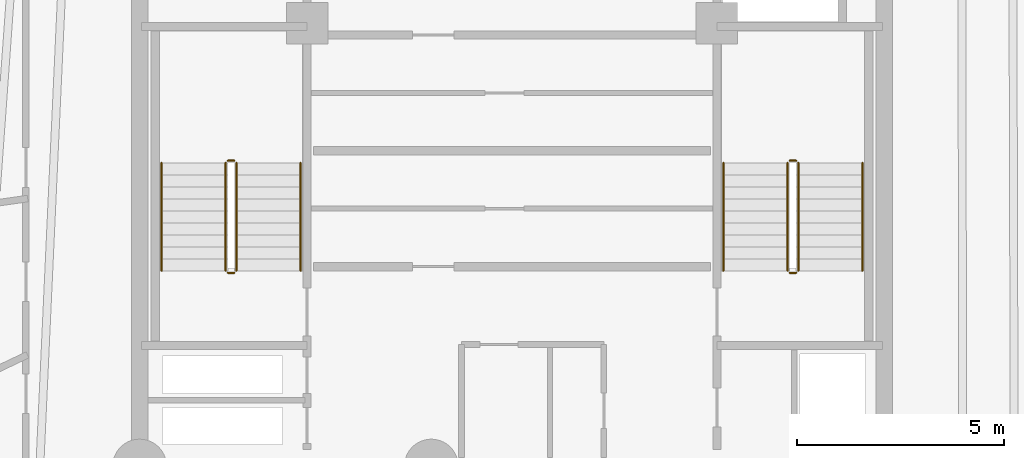
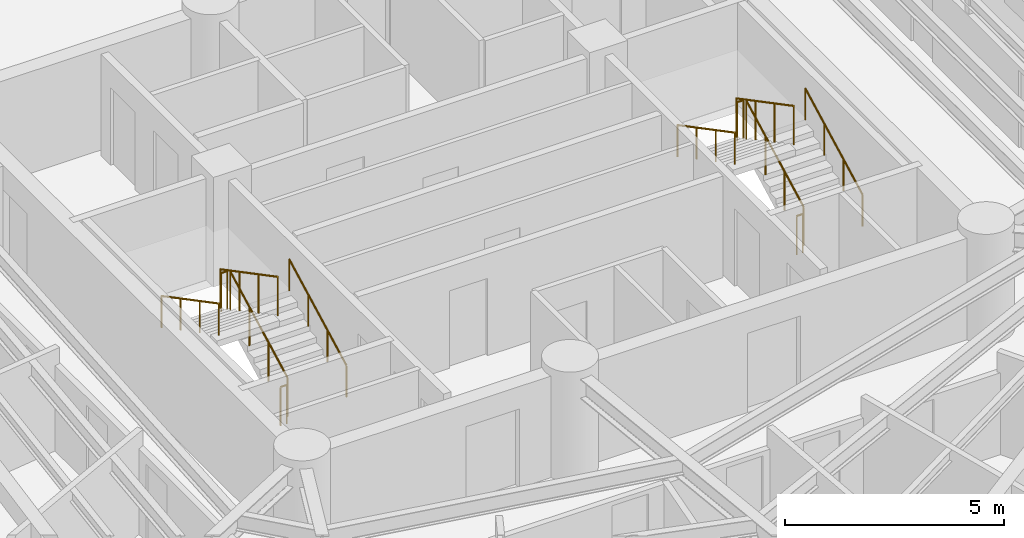
# One storey, part 7 of 7: 12 railings.
"""IFC4 building model written with IfcOpenShell, lengths in metres."""

from ifc_helpers import new_model, si_unit, direction, frame, origin, origin_2d, place, context, subcontext, project, spatial, circle, extrude, material, layer, layer_set, type_object, element, save


model = new_model("IFC4")

# Units and contexts
model_context = context("Model", 3, precision=1e-05, world=origin(), true_north=direction((0.0, 1.0)))
body_context = subcontext(model_context, "Body", "Model", "MODEL_VIEW")
ifc_project = project(units=[si_unit("LENGTHUNIT", "METRE"), si_unit("AREAUNIT", "SQUARE_METRE"), si_unit("VOLUMEUNIT", "CUBIC_METRE"), si_unit("PLANEANGLEUNIT", "RADIAN"), si_unit("MASSUNIT", "GRAM", prefix="KILO")], contexts=[model_context])

# Site, building, storey
site_placement = place(None, origin())
site = spatial("IfcSite", under=ifc_project, at=site_placement, CompositionType="ELEMENT")
building_placement = place(site_placement, origin())
building = spatial("IfcBuilding", under=site, at=building_placement, Name="Karkom Vertical University and Central Library", CompositionType="ELEMENT")
storey_placement = place(building_placement, frame((0.0, 0.0, 202.300048828125)))
storey = spatial("IfcBuildingStorey", under=building, at=storey_placement, Name="L59", CompositionType="ELEMENT", Elevation=202.300048828125)

# Railings
ifc_material_1 = material(Name="Painted galvanised steel balustrade", Category="steel")
ifc_layer_1 = layer(ifc_material_1, 0.06005859375)
ifc_layer_set_1 = layer_set([ifc_layer_1], Name="Painted galvanised steel balustrade")
railing_type_1 = type_object("IfcRailingType", Name="INT-RL-GUARD1100", PredefinedType="GUARDRAIL", material=ifc_layer_set_1)
railing_1_placement = place(storey_placement, frame((21.840087890625, 23.02001953125, 0.15234375)))
element("IfcRailing", 1, at=railing_1_placement, inside=storey, type_object=railing_type_1, Name="Level 59 ST-1 stair guard 1", PredefinedType="GUARDRAIL", context=body_context, shape_type="SweptSolid", body=[
    extrude(circle(Radius=0.02392578125, at=origin_2d()), frame((0.0, 0.0, 1.076171875), z_axis=(0.0, 0.885065446896, 0.46546659892), x_axis=(-1.0, 0.0, 0.0)), (0.0, 0.0, 1.0), 2.94873046875),
    extrude(circle(Radius=0.02099609375, at=origin_2d()), origin(), (0.0, 0.0, 1.0), 1.052001953125),
    extrude(circle(Radius=0.02099609375, at=origin_2d()), frame((0.0, 0.869873046875, 0.45751953125)), (0.0, 0.0, 1.0), 1.052001953125),
    extrude(circle(Radius=0.02099609375, at=origin_2d()), frame((0.0, 1.739990234375, 0.9150390625)), (0.0, 0.0, 1.0), 1.052001953125),
    extrude(circle(Radius=0.02099609375, at=origin_2d()), frame((0.0, 2.60986328125, 1.37255859375)), (0.0, 0.0, 1.0), 1.052001953125),
])
railing_2_placement = place(storey_placement, frame((21.7900390625, 25.679931640625, 1.52490234375)))
element("IfcRailing", 2, at=railing_2_placement, inside=storey, type_object=railing_type_1, Name="Level 59 ST-1 stair guard 2", PredefinedType="GUARDRAIL", context=body_context, shape_type="SweptSolid", body=[
    extrude(circle(Radius=0.02392578125, at=origin_2d()), frame((0.0, 0.0, 1.076171875), z_axis=(-1.0, 0.0, 0.0), x_axis=(0.0, -1.0, 0.0)), (0.0, 0.0, 1.0), 0.16015625),
    extrude(circle(Radius=0.02099609375, at=origin_2d()), origin(), (0.0, 0.0, 1.0), 1.052001953125),
    extrude(circle(Radius=0.02099609375, at=origin_2d()), frame((-0.16015625, 0.0, 0.0)), (0.0, 0.0, 1.0), 1.052001953125),
])
railing_3_placement = place(storey_placement, frame((21.580078125, 25.6298828125, 1.677490234375)))
element("IfcRailing", 3, at=railing_3_placement, inside=storey, type_object=railing_type_1, Name="Level 59 ST-1 stair guard 3", PredefinedType="GUARDRAIL", context=body_context, shape_type="SweptSolid", body=[
    extrude(circle(Radius=0.02392578125, at=origin_2d()), frame((0.0, 0.0, 1.076171875), z_axis=(0.0, -0.885065446896, 0.46546659892), x_axis=(1.0, 0.0, 0.0)), (0.0, 0.0, 1.0), 2.94873046875),
    extrude(circle(Radius=0.02099609375, at=origin_2d()), origin(), (0.0, 0.0, 1.0), 1.052001953125),
    extrude(circle(Radius=0.02099609375, at=origin_2d()), frame((0.0, -0.869873046875, 0.45751953125)), (0.0, 0.0, 1.0), 1.052001953125),
    extrude(circle(Radius=0.02099609375, at=origin_2d()), frame((0.0, -1.739990234375, 0.9150390625)), (0.0, 0.0, 1.0), 1.052001953125),
    extrude(circle(Radius=0.02099609375, at=origin_2d()), frame((0.0, -2.60986328125, 1.37255859375)), (0.0, 0.0, 1.0), 1.052001953125),
])
railing_4_placement = place(storey_placement, frame((21.7900390625, 22.969970703125, 0.0)))
element("IfcRailing", 4, at=railing_4_placement, inside=storey, type_object=railing_type_1, Name="Level 59 ST-1 stair guard 4", PredefinedType="GUARDRAIL", context=body_context, shape_type="SweptSolid", body=[
    extrude(circle(Radius=0.02392578125, at=origin_2d()), frame((0.0, 0.0, 1.076171875), z_axis=(-1.0, 0.0, 0.0), x_axis=(0.0, -1.0, 0.0)), (0.0, 0.0, 1.0), 0.16015625),
    extrude(circle(Radius=0.02099609375, at=origin_2d()), origin(), (0.0, 0.0, 1.0), 1.052001953125),
    extrude(circle(Radius=0.02099609375, at=origin_2d()), frame((-0.16015625, 0.0, 0.0)), (0.0, 0.0, 1.0), 1.052001953125),
])
railing_5_placement = place(storey_placement, frame((35.419921875, 23.02001953125, 0.15234375)))
element("IfcRailing", 5, at=railing_5_placement, inside=storey, type_object=railing_type_1, Name="Level 59 ST-2 stair guard 1", PredefinedType="GUARDRAIL", context=body_context, shape_type="SweptSolid", body=[
    extrude(circle(Radius=0.02392578125, at=origin_2d()), frame((0.0, 0.0, 1.076171875), z_axis=(0.0, 0.885065446896, 0.46546659892), x_axis=(-1.0, 0.0, 0.0)), (0.0, 0.0, 1.0), 2.94873046875),
    extrude(circle(Radius=0.02099609375, at=origin_2d()), origin(), (0.0, 0.0, 1.0), 1.052001953125),
    extrude(circle(Radius=0.02099609375, at=origin_2d()), frame((0.0, 0.869873046875, 0.45751953125)), (0.0, 0.0, 1.0), 1.052001953125),
    extrude(circle(Radius=0.02099609375, at=origin_2d()), frame((0.0, 1.739990234375, 0.9150390625)), (0.0, 0.0, 1.0), 1.052001953125),
    extrude(circle(Radius=0.02099609375, at=origin_2d()), frame((0.0, 2.60986328125, 1.37255859375)), (0.0, 0.0, 1.0), 1.052001953125),
])
railing_6_placement = place(storey_placement, frame((35.3701171875, 25.679931640625, 1.52490234375)))
element("IfcRailing", 6, at=railing_6_placement, inside=storey, type_object=railing_type_1, Name="Level 59 ST-2 stair guard 2", PredefinedType="GUARDRAIL", context=body_context, shape_type="SweptSolid", body=[
    extrude(circle(Radius=0.02392578125, at=origin_2d()), frame((0.0, 0.0, 1.076171875), z_axis=(-1.0, 0.0, 0.0), x_axis=(0.0, -1.0, 0.0)), (0.0, 0.0, 1.0), 0.16015625),
    extrude(circle(Radius=0.02099609375, at=origin_2d()), origin(), (0.0, 0.0, 1.0), 1.052001953125),
    extrude(circle(Radius=0.02099609375, at=origin_2d()), frame((-0.16015625, 0.0, 0.0)), (0.0, 0.0, 1.0), 1.052001953125),
])
railing_7_placement = place(storey_placement, frame((35.159912109375, 25.6298828125, 1.677490234375)))
element("IfcRailing", 7, at=railing_7_placement, inside=storey, type_object=railing_type_1, Name="Level 59 ST-2 stair guard 3", PredefinedType="GUARDRAIL", context=body_context, shape_type="SweptSolid", body=[
    extrude(circle(Radius=0.02392578125, at=origin_2d()), frame((0.0, 0.0, 1.076171875), z_axis=(0.0, -0.885065446896, 0.46546659892), x_axis=(1.0, 0.0, 0.0)), (0.0, 0.0, 1.0), 2.94873046875),
    extrude(circle(Radius=0.02099609375, at=origin_2d()), origin(), (0.0, 0.0, 1.0), 1.052001953125),
    extrude(circle(Radius=0.02099609375, at=origin_2d()), frame((0.0, -0.869873046875, 0.45751953125)), (0.0, 0.0, 1.0), 1.052001953125),
    extrude(circle(Radius=0.02099609375, at=origin_2d()), frame((0.0, -1.739990234375, 0.9150390625)), (0.0, 0.0, 1.0), 1.052001953125),
    extrude(circle(Radius=0.02099609375, at=origin_2d()), frame((0.0, -2.60986328125, 1.37255859375)), (0.0, 0.0, 1.0), 1.052001953125),
])
railing_8_placement = place(storey_placement, frame((35.3701171875, 22.969970703125, 0.0)))
element("IfcRailing", 8, at=railing_8_placement, inside=storey, type_object=railing_type_1, Name="Level 59 ST-2 stair guard 4", PredefinedType="GUARDRAIL", context=body_context, shape_type="SweptSolid", body=[
    extrude(circle(Radius=0.02392578125, at=origin_2d()), frame((0.0, 0.0, 1.076171875), z_axis=(-1.0, 0.0, 0.0), x_axis=(0.0, -1.0, 0.0)), (0.0, 0.0, 1.0), 0.16015625),
    extrude(circle(Radius=0.02099609375, at=origin_2d()), origin(), (0.0, 0.0, 1.0), 1.052001953125),
    extrude(circle(Radius=0.02099609375, at=origin_2d()), frame((-0.16015625, 0.0, 0.0)), (0.0, 0.0, 1.0), 1.052001953125),
])
ifc_material_2 = material(Name="Brushed stainless-steel tubular handrail", Category="steel")
ifc_layer_2 = layer(ifc_material_2, 0.048095703125)
ifc_layer_set_2 = layer_set([ifc_layer_2], Name="Brushed stainless-steel tubular handrail")
railing_type_2 = type_object("IfcRailingType", Name="INT-RL-HAND920", PredefinedType="HANDRAIL", material=ifc_layer_set_2)
railing_9_placement = place(storey_placement, frame((23.389892578125, 23.02001953125, 0.15234375)))
element("IfcRailing", 9, at=railing_9_placement, inside=storey, type_object=railing_type_2, Name="Level 59 ST-1 stair handrail 1", PredefinedType="HANDRAIL", context=body_context, shape_type="SweptSolid", body=[
    extrude(circle(Radius=0.02392578125, at=origin_2d()), frame((0.0, 0.0, 0.8759765625), z_axis=(0.0, 0.885065446896, 0.46546659892), x_axis=(-1.0, 0.0, 0.0)), (0.0, 0.0, 1.0), 2.94873046875),
    extrude(circle(Radius=0.02099609375, at=origin_2d()), origin(), (0.0, 0.0, 1.0), 0.851806640625),
    extrude(circle(Radius=0.02099609375, at=origin_2d()), frame((0.0, 0.869873046875, 0.45751953125)), (0.0, 0.0, 1.0), 0.851806640625),
    extrude(circle(Radius=0.02099609375, at=origin_2d()), frame((0.0, 1.739990234375, 0.9150390625)), (0.0, 0.0, 1.0), 0.851806640625),
    extrude(circle(Radius=0.02099609375, at=origin_2d()), frame((0.0, 2.60986328125, 1.37255859375)), (0.0, 0.0, 1.0), 0.851806640625),
])
railing_10_placement = place(storey_placement, frame((20.030029296875, 25.6298828125, 1.677490234375)))
element("IfcRailing", 10, at=railing_10_placement, inside=storey, type_object=railing_type_2, Name="Level 59 ST-1 stair handrail 2", PredefinedType="HANDRAIL", context=body_context, shape_type="SweptSolid", body=[
    extrude(circle(Radius=0.02392578125, at=origin_2d()), frame((0.0, 0.0, 0.8759765625), z_axis=(0.0, -0.885065446896, 0.46546659892), x_axis=(1.0, 0.0, 0.0)), (0.0, 0.0, 1.0), 2.94873046875),
    extrude(circle(Radius=0.02099609375, at=origin_2d()), origin(), (0.0, 0.0, 1.0), 0.851806640625),
    extrude(circle(Radius=0.02099609375, at=origin_2d()), frame((0.0, -0.869873046875, 0.45751953125)), (0.0, 0.0, 1.0), 0.851806640625),
    extrude(circle(Radius=0.02099609375, at=origin_2d()), frame((0.0, -1.739990234375, 0.9150390625)), (0.0, 0.0, 1.0), 0.851806640625),
    extrude(circle(Radius=0.02099609375, at=origin_2d()), frame((0.0, -2.60986328125, 1.37255859375)), (0.0, 0.0, 1.0), 0.851806640625),
])
railing_11_placement = place(storey_placement, frame((36.969970703125, 23.02001953125, 0.15234375)))
element("IfcRailing", 11, at=railing_11_placement, inside=storey, type_object=railing_type_2, Name="Level 59 ST-2 stair handrail 1", PredefinedType="HANDRAIL", context=body_context, shape_type="SweptSolid", body=[
    extrude(circle(Radius=0.02392578125, at=origin_2d()), frame((0.0, 0.0, 0.8759765625), z_axis=(0.0, 0.885065446896, 0.46546659892), x_axis=(-1.0, 0.0, 0.0)), (0.0, 0.0, 1.0), 2.94873046875),
    extrude(circle(Radius=0.02099609375, at=origin_2d()), origin(), (0.0, 0.0, 1.0), 0.851806640625),
    extrude(circle(Radius=0.02099609375, at=origin_2d()), frame((0.0, 0.869873046875, 0.45751953125)), (0.0, 0.0, 1.0), 0.851806640625),
    extrude(circle(Radius=0.02099609375, at=origin_2d()), frame((0.0, 1.739990234375, 0.9150390625)), (0.0, 0.0, 1.0), 0.851806640625),
    extrude(circle(Radius=0.02099609375, at=origin_2d()), frame((0.0, 2.60986328125, 1.37255859375)), (0.0, 0.0, 1.0), 0.851806640625),
])
railing_12_placement = place(storey_placement, frame((33.610107421875, 25.6298828125, 1.677490234375)))
element("IfcRailing", 12, at=railing_12_placement, inside=storey, type_object=railing_type_2, Name="Level 59 ST-2 stair handrail 2", PredefinedType="HANDRAIL", context=body_context, shape_type="SweptSolid", body=[
    extrude(circle(Radius=0.02392578125, at=origin_2d()), frame((0.0, 0.0, 0.8759765625), z_axis=(0.0, -0.885065446896, 0.46546659892), x_axis=(1.0, 0.0, 0.0)), (0.0, 0.0, 1.0), 2.94873046875),
    extrude(circle(Radius=0.02099609375, at=origin_2d()), origin(), (0.0, 0.0, 1.0), 0.851806640625),
    extrude(circle(Radius=0.02099609375, at=origin_2d()), frame((0.0, -0.869873046875, 0.45751953125)), (0.0, 0.0, 1.0), 0.851806640625),
    extrude(circle(Radius=0.02099609375, at=origin_2d()), frame((0.0, -1.739990234375, 0.9150390625)), (0.0, 0.0, 1.0), 0.851806640625),
    extrude(circle(Radius=0.02099609375, at=origin_2d()), frame((0.0, -2.60986328125, 1.37255859375)), (0.0, 0.0, 1.0), 0.851806640625),
])

save(model, "model.ifc")
